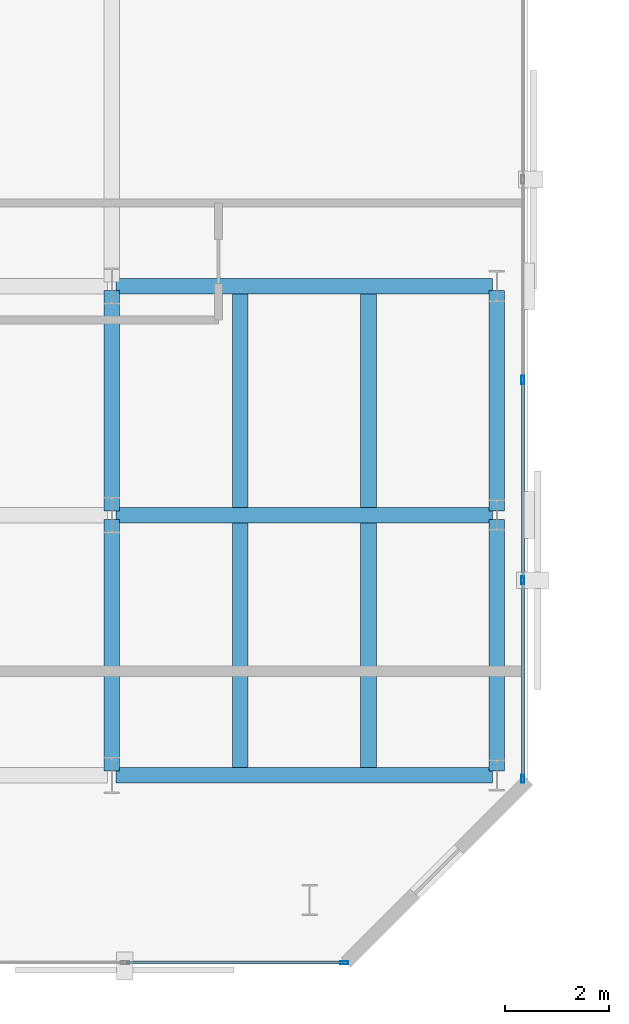
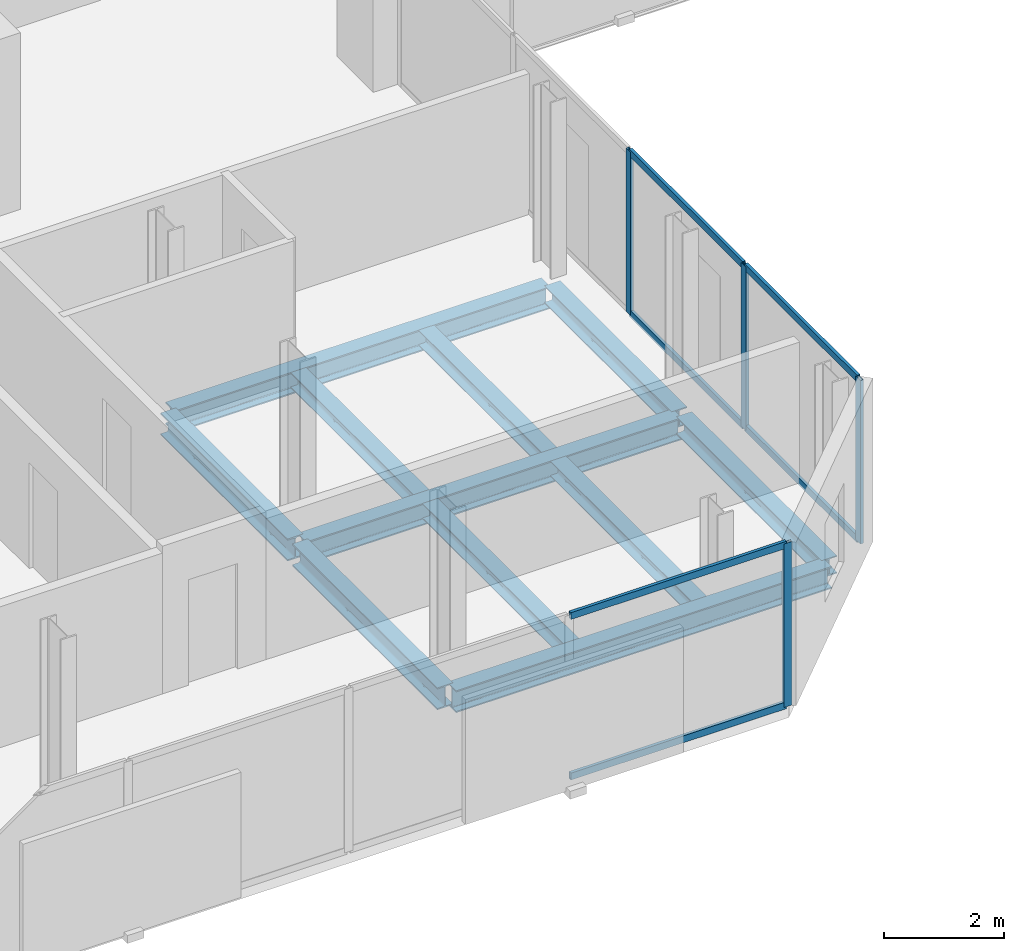
# One storey, part 7 of 33: 11 beams, 10 members, 2 elements without a shape of their own.
"""IFC4 building model written with IfcOpenShell, lengths in metres."""

from ifc_helpers import new_model, si_unit, direction, frame, origin, origin_2d, place, context, subcontext, project, spatial, hollow_rectangle, i_section, extrude, material, layer, layer_set, material_profile, profile_set, type_object, element, aggregate, save


model = new_model("IFC4")

# Units and contexts
model_context = context("Model", 3, precision=1e-05, world=origin(), true_north=direction((0.0, 1.0)))
body_context = subcontext(model_context, "Body", "Model", "MODEL_VIEW")
ifc_project = project(units=[si_unit("LENGTHUNIT", "METRE"), si_unit("AREAUNIT", "SQUARE_METRE"), si_unit("VOLUMEUNIT", "CUBIC_METRE"), si_unit("PLANEANGLEUNIT", "RADIAN"), si_unit("MASSUNIT", "GRAM", prefix="KILO")], contexts=[model_context])

# Site, building, storey
site_placement = place(None, origin())
site = spatial("IfcSite", under=ifc_project, at=site_placement, CompositionType="ELEMENT")
building_placement = place(site_placement, origin())
building = spatial("IfcBuilding", under=site, at=building_placement, Name="Catumbela Crestline Tower", CompositionType="ELEMENT")
storey_placement = place(building_placement, frame((0.0, 0.0, 118.8)))
storey = spatial("IfcBuildingStorey", under=building, at=storey_placement, Name="L30", CompositionType="ELEMENT", Elevation=118.8)

# Beams
ifc_material_1 = material(Name="Structural steel S355J2", Category="steel")
ifc_material_profile_1 = material_profile(ifc_material_1, i_section(OverallWidth=0.3, OverallDepth=0.45, WebThickness=0.014, FlangeThickness=0.026, FilletRadius=0.027, at=origin_2d()), Name="HEB 450")
ifc_profile_set_1 = profile_set([ifc_material_profile_1], Name="Structural steel S355J2")
beam_type_1 = type_object("IfcBeamType", Name="BG-HEB450", PredefinedType="BEAM", material=ifc_profile_set_1)
for number, where, z_axis, x_axis, name in (
    (1, (16.08, 8.6, -0.485), (1.0, 0.0, 0.0), (0.0, 1.0, 0.0), "L30 Beam BM-L30-WEW45"),
    (2, (16.08, 13.6, -0.485), (1.0, 0.0, 0.0), (0.0, 1.0, 0.0), "L30 Beam BM-L30-WEW48"),
    (3, (16.08, 18.0, -0.485), (1.0, 0.0, 0.0), (0.0, 1.0, 0.0), "L30 Beam BM-L30-WEW51"),
):
    element("IfcBeam", number, at=place(storey_placement, frame(where, z_axis=z_axis, x_axis=x_axis)), inside=storey, type_object=beam_type_1, Name=name, PredefinedType="BEAM", context=body_context, shape_type="SweptSolid", body=[
        extrude(i_section(OverallWidth=0.3, OverallDepth=0.45, WebThickness=0.014, FlangeThickness=0.026, FilletRadius=0.027, at=origin_2d()), origin(), (0.0, 0.0, 1.0), 7.24),
    ])
beam_1_placement = place(storey_placement, frame((16.0, 8.68, -0.485), z_axis=(0.0, 1.0, 0.0), x_axis=(-1.0, 0.0, 0.0)))
element("IfcBeam", 4, at=beam_1_placement, inside=storey, type_object=beam_type_1, Name="L30 Beam BM-L30-WNS58", PredefinedType="BEAM", context=body_context, shape_type="SweptSolid", body=[
    extrude(i_section(OverallWidth=0.3, OverallDepth=0.45, WebThickness=0.014, FlangeThickness=0.026, FilletRadius=0.027, at=origin_2d()), origin(), (0.0, 0.0, 1.0), 4.84),
])
beam_2_placement = place(storey_placement, frame((16.0, 13.68, -0.485), z_axis=(0.0, 1.0, 0.0), x_axis=(-1.0, 0.0, 0.0)))
element("IfcBeam", 5, at=beam_2_placement, inside=storey, type_object=beam_type_1, Name="L30 Beam BM-L30-WNS59", PredefinedType="BEAM", context=body_context, shape_type="SweptSolid", body=[
    extrude(i_section(OverallWidth=0.3, OverallDepth=0.45, WebThickness=0.014, FlangeThickness=0.026, FilletRadius=0.027, at=origin_2d()), origin(), (0.0, 0.0, 1.0), 4.24),
])
ifc_material_profile_2 = material_profile(ifc_material_1, i_section(OverallWidth=0.3, OverallDepth=0.31, WebThickness=0.009, FlangeThickness=0.0155, FilletRadius=0.027, at=origin_2d()), Name="HEA 320")
ifc_profile_set_2 = profile_set([ifc_material_profile_2], Name="Structural steel S355J2")
beam_type_2 = type_object("IfcBeamType", Name="BJ-HEA320", PredefinedType="JOIST", material=ifc_profile_set_2)
for number, where, z_axis, x_axis, name in (
    (6, (18.467, 8.747, -0.415), (0.0, 1.0, 0.0), (-1.0, 0.0, 0.0), "L30 Joist JS-L30-WG67"),
    (7, (20.933, 8.747, -0.415), (0.0, 1.0, 0.0), (-1.0, 0.0, 0.0), "L30 Joist JS-L30-WG68"),
):
    element("IfcBeam", number, at=place(storey_placement, frame(where, z_axis=z_axis, x_axis=x_axis)), inside=storey, type_object=beam_type_2, Name=name, PredefinedType="JOIST", context=body_context, shape_type="SweptSolid", body=[
        extrude(i_section(OverallWidth=0.3, OverallDepth=0.31, WebThickness=0.009, FlangeThickness=0.0155, FilletRadius=0.027, at=origin_2d()), origin(), (0.0, 0.0, 1.0), 4.706),
    ])
for number, where, z_axis, x_axis, name in (
    (8, (18.467, 13.747, -0.415), (0.0, 1.0, 0.0), (-1.0, 0.0, 0.0), "L30 Joist JS-L30-WG73"),
    (9, (20.933, 13.747, -0.415), (0.0, 1.0, 0.0), (-1.0, 0.0, 0.0), "L30 Joist JS-L30-WG74"),
):
    element("IfcBeam", number, at=place(storey_placement, frame(where, z_axis=z_axis, x_axis=x_axis)), inside=storey, type_object=beam_type_2, Name=name, PredefinedType="JOIST", context=body_context, shape_type="SweptSolid", body=[
        extrude(i_section(OverallWidth=0.3, OverallDepth=0.31, WebThickness=0.009, FlangeThickness=0.0155, FilletRadius=0.027, at=origin_2d()), origin(), (0.0, 0.0, 1.0), 4.106),
    ])

# Curtain wall, member
ifc_material_2 = material(Name="Aluminium alloy AW-6060-T66", Category="aluminium")
ifc_layer = layer(ifc_material_2, 0.18, Name="Aluminium alloy AW-6060-T66")
ifc_layer_set = layer_set([ifc_layer], Name="Aluminium alloy AW-6060-T66")
curtain_wall_type = type_object("IfcCurtainWallType", Name="CWU-Z2", PredefinedType="USERDEFINED", material=ifc_layer_set)
curtain_wall_1_placement = place(storey_placement, origin())
curtain_wall_1 = element("IfcCurtainWall", 10, at=curtain_wall_1_placement, inside=storey, type_object=curtain_wall_type, Name="L30 Unitised Curtain Wall CW-L30-E0S1", ObjectType="UNITISED", PredefinedType="USERDEFINED")
ifc_material_profile_3 = material_profile(ifc_material_2, hollow_rectangle(XDim=0.06, YDim=0.16, WallThickness=0.004, at=origin_2d()), Name="ALU 160x60x4")
ifc_profile_set_3 = profile_set([ifc_material_profile_3], Name="Aluminium alloy AW-6060-T66")
member_type_1 = type_object("IfcMemberType", Name="MUL-160X60", PredefinedType="MULLION", material=ifc_profile_set_3)
member_1_placement = place(storey_placement, frame((20.4675, 5.0, 0.0), z_axis=(0.0, 0.0, 1.0), x_axis=(0.0, 1.0, 0.0)))
member_1 = element("IfcMember", 11, at=member_1_placement, type_object=member_type_1, Name="CWU-Z2 mullion 5", PredefinedType="MULLION", context=body_context, shape_type="SweptSolid", body=[
    extrude(hollow_rectangle(XDim=0.06, YDim=0.16, WallThickness=0.004, at=origin_2d()), origin(), (0.0, 0.0, 1.0), 3.33),
])

# Curtain wall, members
curtain_wall_2_placement = place(storey_placement, origin())
curtain_wall_2 = element("IfcCurtainWall", 12, at=curtain_wall_2_placement, inside=storey, type_object=curtain_wall_type, Name="L30 Unitised Curtain Wall CW-L30-E2S1", ObjectType="UNITISED", PredefinedType="USERDEFINED")
member_2_placement = place(storey_placement, frame((23.9, 8.5325, 0.0), z_axis=(0.0, 0.0, 1.0), x_axis=(-1.0, 0.0, 0.0)))
member_2 = element("IfcMember", 13, at=member_2_placement, type_object=member_type_1, Name="CWU-Z2 mullion 1", PredefinedType="MULLION", context=body_context, shape_type="SweptSolid", body=[
    extrude(hollow_rectangle(XDim=0.06, YDim=0.16, WallThickness=0.004, at=origin_2d()), origin(), (0.0, 0.0, 1.0), 3.33),
])
member_3_placement = place(storey_placement, frame((23.9, 12.35, 0.0), z_axis=(0.0, 0.0, 1.0), x_axis=(-1.0, 0.0, 0.0)))
member_3 = element("IfcMember", 14, at=member_3_placement, type_object=member_type_1, Name="CWU-Z2 mullion 2", PredefinedType="MULLION", context=body_context, shape_type="SweptSolid", body=[
    extrude(hollow_rectangle(XDim=0.06, YDim=0.16, WallThickness=0.004, at=origin_2d()), origin(), (0.0, 0.0, 1.0), 3.33),
])
member_4_placement = place(storey_placement, frame((23.9, 16.2, 0.0), z_axis=(0.0, 0.0, 1.0), x_axis=(-1.0, 0.0, 0.0)))
member_4 = element("IfcMember", 15, at=member_4_placement, type_object=member_type_1, Name="CWU-Z2 mullion 3", PredefinedType="MULLION", context=body_context, shape_type="SweptSolid", body=[
    extrude(hollow_rectangle(XDim=0.06, YDim=0.16, WallThickness=0.004, at=origin_2d()), origin(), (0.0, 0.0, 1.0), 3.33),
])

# Beams
ifc_material_profile_4 = material_profile(ifc_material_1, i_section(OverallWidth=0.3, OverallDepth=0.36, WebThickness=0.0125, FlangeThickness=0.0225, FilletRadius=0.027, at=origin_2d()), Name="HEB 360")
ifc_profile_set_4 = profile_set([ifc_material_profile_4], Name="Structural steel S355J2")
beam_type_3 = type_object("IfcBeamType", Name="BS-HEB360", PredefinedType="SPANDREL", material=ifc_profile_set_4)
beam_3_placement = place(storey_placement, frame((23.4, 8.68, -0.44), z_axis=(0.0, 1.0, 0.0), x_axis=(-1.0, 0.0, 0.0)))
element("IfcBeam", 16, at=beam_3_placement, inside=storey, type_object=beam_type_3, Name="L30 Spandrel SP-L30-WNS61", PredefinedType="SPANDREL", context=body_context, shape_type="SweptSolid", body=[
    extrude(i_section(OverallWidth=0.3, OverallDepth=0.36, WebThickness=0.0125, FlangeThickness=0.0225, FilletRadius=0.027, at=origin_2d()), origin(), (0.0, 0.0, 1.0), 4.84),
])
beam_4_placement = place(storey_placement, frame((23.4, 13.68, -0.44), z_axis=(0.0, 1.0, 0.0), x_axis=(-1.0, 0.0, 0.0)))
element("IfcBeam", 17, at=beam_4_placement, inside=storey, type_object=beam_type_3, Name="L30 Spandrel SP-L30-WNS62", PredefinedType="SPANDREL", context=body_context, shape_type="SweptSolid", body=[
    extrude(i_section(OverallWidth=0.3, OverallDepth=0.36, WebThickness=0.0125, FlangeThickness=0.0225, FilletRadius=0.027, at=origin_2d()), origin(), (0.0, 0.0, 1.0), 4.24),
])

# Member
ifc_material_profile_5 = material_profile(ifc_material_2, hollow_rectangle(XDim=0.06, YDim=0.14, WallThickness=0.004, at=origin_2d()), Name="ALU 140x60x4")
ifc_profile_set_5 = profile_set([ifc_material_profile_5], Name="Aluminium alloy AW-6060-T66")
member_type_2 = type_object("IfcMemberType", Name="TRN-140X60", PredefinedType="USERDEFINED", material=ifc_profile_set_5)
member_5_placement = place(storey_placement, frame((16.2825, 5.0, 0.03), z_axis=(1.0, 0.0, 0.0), x_axis=(0.0, 1.0, 0.0)))
member_5 = element("IfcMember", 18, at=member_5_placement, type_object=member_type_2, Name="CWU-Z2 transom 4.1", ObjectType="TRANSOM", PredefinedType="USERDEFINED", context=body_context, shape_type="SweptSolid", body=[
    extrude(hollow_rectangle(XDim=0.06, YDim=0.14, WallThickness=0.004, at=origin_2d()), origin(), (0.0, 0.0, 1.0), 4.1525),
])

member_6_placement = place(storey_placement, frame((16.2825, 5.0, 3.3), z_axis=(1.0, 0.0, 0.0), x_axis=(0.0, 1.0, 0.0)))
member_6 = element("IfcMember", 19, at=member_6_placement, type_object=member_type_2, Name="CWU-Z2 transom 4.2", ObjectType="TRANSOM", PredefinedType="USERDEFINED", context=body_context, shape_type="SweptSolid", body=[
    extrude(hollow_rectangle(XDim=0.06, YDim=0.14, WallThickness=0.004, at=origin_2d()), origin(), (0.0, 0.0, 1.0), 4.1525),
])

aggregate(curtain_wall_1, [member_1, member_5, member_6])

member_7_placement = place(storey_placement, frame((23.9, 8.565, 0.03), z_axis=(0.0, 1.0, 0.0), x_axis=(-1.0, 0.0, 0.0)))
member_7 = element("IfcMember", 20, at=member_7_placement, type_object=member_type_2, Name="CWU-Z2 transom 1.1", ObjectType="TRANSOM", PredefinedType="USERDEFINED", context=body_context, shape_type="SweptSolid", body=[
    extrude(hollow_rectangle(XDim=0.06, YDim=0.14, WallThickness=0.004, at=origin_2d()), origin(), (0.0, 0.0, 1.0), 3.7525),
])

member_8_placement = place(storey_placement, frame((23.9, 8.565, 3.3), z_axis=(0.0, 1.0, 0.0), x_axis=(-1.0, 0.0, 0.0)))
member_8 = element("IfcMember", 21, at=member_8_placement, type_object=member_type_2, Name="CWU-Z2 transom 1.2", ObjectType="TRANSOM", PredefinedType="USERDEFINED", context=body_context, shape_type="SweptSolid", body=[
    extrude(hollow_rectangle(XDim=0.06, YDim=0.14, WallThickness=0.004, at=origin_2d()), origin(), (0.0, 0.0, 1.0), 3.7525),
])

member_9_placement = place(storey_placement, frame((23.9, 12.3825, 0.03), z_axis=(0.0, 1.0, 0.0), x_axis=(-1.0, 0.0, 0.0)))
member_9 = element("IfcMember", 22, at=member_9_placement, type_object=member_type_2, Name="CWU-Z2 transom 2.1", ObjectType="TRANSOM", PredefinedType="USERDEFINED", context=body_context, shape_type="SweptSolid", body=[
    extrude(hollow_rectangle(XDim=0.06, YDim=0.14, WallThickness=0.004, at=origin_2d()), origin(), (0.0, 0.0, 1.0), 3.785),
])

member_10_placement = place(storey_placement, frame((23.9, 12.3825, 3.3), z_axis=(0.0, 1.0, 0.0), x_axis=(-1.0, 0.0, 0.0)))
member_10 = element("IfcMember", 23, at=member_10_placement, type_object=member_type_2, Name="CWU-Z2 transom 2.2", ObjectType="TRANSOM", PredefinedType="USERDEFINED", context=body_context, shape_type="SweptSolid", body=[
    extrude(hollow_rectangle(XDim=0.06, YDim=0.14, WallThickness=0.004, at=origin_2d()), origin(), (0.0, 0.0, 1.0), 3.785),
])

aggregate(curtain_wall_2, [member_2, member_3, member_4, member_7, member_8, member_9, member_10])

save(model, "model.ifc")
